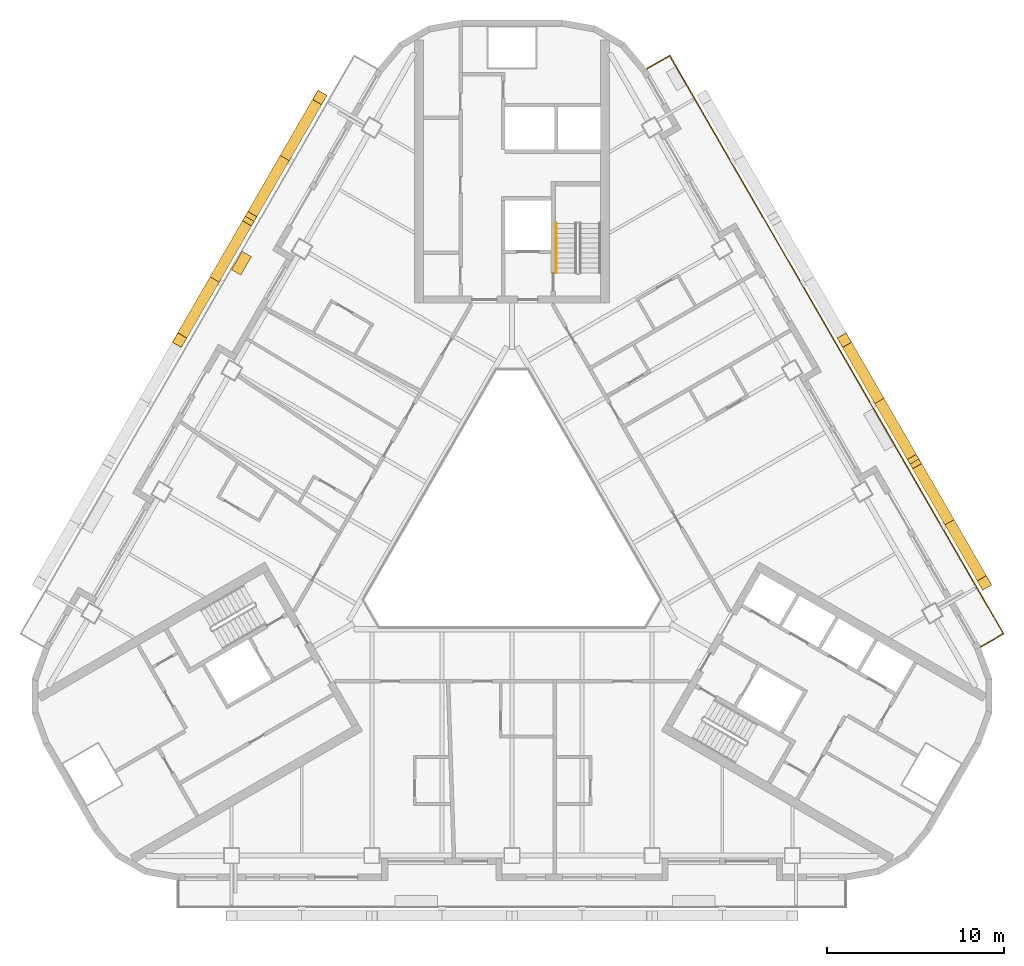
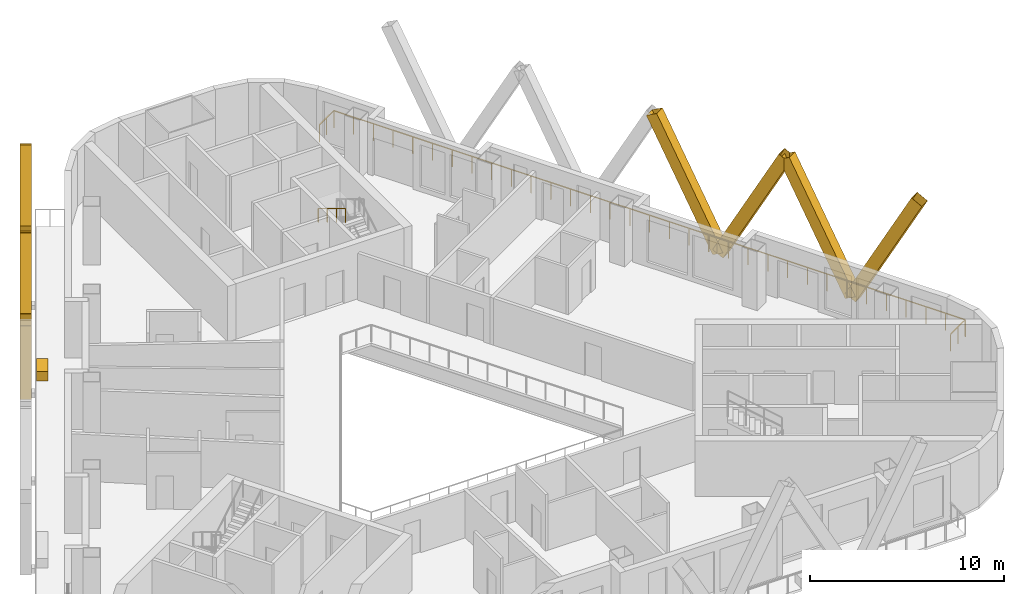
# One storey, part 13 of 14: 8 shading devices, 2 railings, 1 covering.
"""IFC4 building model written with IfcOpenShell, lengths in metres."""

from ifc_helpers import new_model, si_unit, direction, frame, origin, origin_2d, place, context, subcontext, project, spatial, rectangle, hollow_rectangle, circle, extrude, material, material_profile, profile_set, type_object, element, save


model = new_model("IFC4")

# Units and contexts
model_context = context("Model", 3, precision=1e-05, world=origin(), true_north=direction((0.0, 1.0)))
body_context = subcontext(model_context, "Body", "Model", "MODEL_VIEW")
ifc_project = project(units=[si_unit("LENGTHUNIT", "METRE"), si_unit("AREAUNIT", "SQUARE_METRE"), si_unit("VOLUMEUNIT", "CUBIC_METRE"), si_unit("PLANEANGLEUNIT", "RADIAN"), si_unit("MASSUNIT", "GRAM", prefix="KILO")], contexts=[model_context])

# Site, building, storey
site_placement = place(None, origin())
site = spatial("IfcSite", under=ifc_project, at=site_placement, CompositionType="ELEMENT")
building_placement = place(site_placement, origin())
building = spatial("IfcBuilding", under=site, at=building_placement, Name="Apuvela Tower Hotel", CompositionType="ELEMENT")
storey_placement = place(building_placement, frame((0.0, 0.0, 98.300048828125)))
storey = spatial("IfcBuildingStorey", under=building, at=storey_placement, Name="L22", CompositionType="ELEMENT", Elevation=98.300048828125)

# Railing
ifc_material_1 = material(Name="Stainless steel 316 handrail", Category="steel")
railing_type_1 = type_object("IfcRailingType", Name="COR-HANDRAIL-900", PredefinedType="HANDRAIL", material=ifc_material_1)
railing_1_placement = place(storey_placement, frame((2.5, 17.39990234375, 2.01806640625)))
element("IfcRailing", 1, at=railing_1_placement, inside=storey, type_object=railing_type_1, Name="L22 ST1 stair handrail 2", PredefinedType="HANDRAIL", context=body_context, shape_type="SweptSolid", body=[
    extrude(circle(Radius=0.02392578125, at=origin_2d()), frame((0.0, 0.0, 0.8759765625), z_axis=(0.0, -0.857222391501, 0.514946377315), x_axis=(1.0, 0.0, 0.0)), (0.0, 0.0, 1.0), 3.26611328125),
    extrude(rectangle(XDim=0.0419921875, YDim=0.0419921875, at=origin_2d()), origin(), (0.0, 0.0, 1.0), 0.851806640625),
    extrude(rectangle(XDim=0.0419921875, YDim=0.0419921875, at=origin_2d()), frame((0.0, -0.933349609375, 0.560546875)), (0.0, 0.0, 1.0), 0.851806640625),
    extrude(rectangle(XDim=0.0419921875, YDim=0.0419921875, at=origin_2d()), frame((0.0, -1.866455078125, 1.121337890625)), (0.0, 0.0, 1.0), 0.851806640625),
    extrude(rectangle(XDim=0.0419921875, YDim=0.0419921875, at=origin_2d()), frame((0.0, -2.7998046875, 1.681884765625)), (0.0, 0.0, 1.0), 0.851806640625),
])

# Shading devices
ifc_material_2 = material(Name="Aluminium 6063-T6, black anodised", Category="aluminium")
ifc_material_profile = material_profile(ifc_material_2, hollow_rectangle(XDim=0.60009765625, YDim=0.699951171875, WallThickness=0.011962890625, at=origin_2d()), Name="AL BOX 700x600x12")
ifc_profile_set = profile_set([ifc_material_profile], Name="Aluminium 6063-T6, black anodised")
shading_device_type = type_object("IfcShadingDeviceType", Name="ENV-FIN-700x600", PredefinedType="USERDEFINED", material=ifc_profile_set)
for number, where, z_axis, x_axis, name in (
    (2, (24.656982421875, 0.552490234375, -0.10009765625), (0.235457834389, -0.407787356937, 0.88219560175), (0.866005453737, 0.500034552904, 0.0), "Lattice fin NE201"),
    (3, (24.656982421875, 0.552490234375, -0.10009765625), (-0.235427548578, 0.407814415956, 0.882191176281), (-0.866047669374, -0.499961432884, 0.0), "Lattice fin NE202"),
    (4, (20.70703125, 7.394287109375, -0.10009765625), (0.235455039791, -0.407811621453, 0.882185131163), (0.866020906874, 0.500007788796, 0.0), "Lattice fin NE203"),
):
    element("IfcShadingDevice", number, at=place(storey_placement, frame(where, z_axis=z_axis, x_axis=x_axis)), inside=storey, type_object=shading_device_type, Name=name, ObjectType="FIN", PredefinedType="USERDEFINED", context=body_context, shape_type="SweptSolid", body=[
        extrude(hollow_rectangle(XDim=0.60009765625, YDim=0.699951171875, WallThickness=0.011962890625, at=origin_2d()), origin(), (0.0, 0.0, 1.0), 8.388427734375),
    ])
shading_device_placement = place(storey_placement, frame((20.70703125, 7.394287109375, -0.10009765625), z_axis=(-0.235430342887, 0.407790151341, 0.882201647084), x_axis=(-0.866032218625, -0.499988196164, 0.0)))
element("IfcShadingDevice", 5, at=shading_device_placement, inside=storey, type_object=shading_device_type, Name="Lattice fin NE204", ObjectType="FIN", PredefinedType="USERDEFINED", context=body_context, shape_type="SweptSolid", body=[
    extrude(hollow_rectangle(XDim=0.60009765625, YDim=0.699951171875, WallThickness=0.011962890625, at=origin_2d()), origin(), (0.0, 0.0, 1.0), 8.38818359375),
])
for number, where, z_axis, x_axis, name in (
    (6, (-12.80712890625, 21.077392578125, -0.10009765625), (0.235455039791, 0.407811621453, 0.882185131163), (-0.866020906874, 0.500007788796, 0.0), "Lattice fin NW249"),
    (7, (-12.80712890625, 21.077392578125, -0.10009765625), (-0.235427548578, -0.407814415956, 0.882191176281), (0.866047669374, -0.499961432884, 0.0), "Lattice fin NW250"),
    (8, (-16.757080078125, 14.23583984375, -0.10009765625), (0.235457834389, 0.407787356937, 0.88219560175), (-0.866005453737, 0.500034552904, 0.0), "Lattice fin NW251"),
    (9, (-16.757080078125, 14.23583984375, -0.10009765625), (-0.235455039791, -0.407811621453, 0.882185131163), (0.866020906874, -0.500007788796, 0.0), "Lattice fin NW252"),
):
    element("IfcShadingDevice", number, at=place(storey_placement, frame(where, z_axis=z_axis, x_axis=x_axis)), inside=storey, type_object=shading_device_type, Name=name, ObjectType="FIN", PredefinedType="USERDEFINED", context=body_context, shape_type="SweptSolid", body=[
        extrude(hollow_rectangle(XDim=0.60009765625, YDim=0.699951171875, WallThickness=0.011962890625, at=origin_2d()), origin(), (0.0, 0.0, 1.0), 8.388427734375),
    ])

# Railing
ifc_material_3 = material(Name="Stainless steel 316 rail with laminated glass infill", Category="steel")
railing_type_2 = type_object("IfcRailingType", Name="ENV-GUARD-1100", PredefinedType="GUARDRAIL", material=ifc_material_3)
railing_2_placement = place(storey_placement, frame((26.407958984375, -6.47998046875, 0.0)))
element("IfcRailing", 10, at=railing_2_placement, inside=storey, type_object=railing_type_2, Name="Balcony guard NE L22", PredefinedType="GUARDRAIL", context=body_context, shape_type="SweptSolid", body=[
    extrude(rectangle(XDim=0.050048828125, YDim=0.050048828125, at=origin_2d()), frame((0.0, 0.0, 1.0751953125), z_axis=(0.866031096941, 0.499990139034, 0.0), x_axis=(-0.499990139034, 0.866031096941, 0.0)), (0.0, 0.0, 1.0), 1.5),
    extrude(rectangle(XDim=0.050048828125, YDim=0.050048828125, at=origin_2d()), frame((1.299072265625, 0.75, 1.0751953125), z_axis=(-0.500000437506, 0.86602515119, 0.0), x_axis=(-0.86602515119, -0.500000437506, 0.0)), (0.0, 0.0, 1.0), 37.6318359375),
    extrude(rectangle(XDim=0.050048828125, YDim=0.050048828125, at=origin_2d()), frame((-17.516845703125, 33.340087890625, 1.0751953125), z_axis=(-0.86599040064, -0.500060622324, 0.0), x_axis=(0.500060622324, -0.86599040064, 0.0)), (0.0, 0.0, 1.0), 1.499755859375),
    extrude(rectangle(XDim=0.0400390625, YDim=0.0400390625, at=origin_2d()), origin(), (0.0, 0.0, 1.0), 1.050048828125),
    extrude(rectangle(XDim=0.0400390625, YDim=0.0400390625, at=origin_2d()), frame((0.6494140625, 0.375, 0.0)), (0.0, 0.0, 1.0), 1.050048828125),
    extrude(rectangle(XDim=0.0400390625, YDim=0.0400390625, at=origin_2d()), frame((1.299072265625, 0.75, 0.0)), (0.0, 0.0, 1.0), 1.050048828125),
    extrude(rectangle(XDim=0.0400390625, YDim=0.0400390625, at=origin_2d()), frame((0.711181640625, 1.7685546875, 0.0)), (0.0, 0.0, 1.0), 1.050048828125),
    extrude(rectangle(XDim=0.0400390625, YDim=0.0400390625, at=origin_2d()), frame((0.123046875, 2.786865234375, 0.0)), (0.0, 0.0, 1.0), 1.050048828125),
    extrude(rectangle(XDim=0.0400390625, YDim=0.0400390625, at=origin_2d()), frame((-0.46484375, 3.805419921875, 0.0)), (0.0, 0.0, 1.0), 1.050048828125),
    extrude(rectangle(XDim=0.0400390625, YDim=0.0400390625, at=origin_2d()), frame((-1.052978515625, 4.82373046875, 0.0)), (0.0, 0.0, 1.0), 1.050048828125),
    extrude(rectangle(XDim=0.0400390625, YDim=0.0400390625, at=origin_2d()), frame((-1.640869140625, 5.84228515625, 0.0)), (0.0, 0.0, 1.0), 1.050048828125),
    extrude(rectangle(XDim=0.0400390625, YDim=0.0400390625, at=origin_2d()), frame((-2.22900390625, 6.860595703125, 0.0)), (0.0, 0.0, 1.0), 1.050048828125),
    extrude(rectangle(XDim=0.0400390625, YDim=0.0400390625, at=origin_2d()), frame((-2.81689453125, 7.879150390625, 0.0)), (0.0, 0.0, 1.0), 1.050048828125),
    extrude(rectangle(XDim=0.0400390625, YDim=0.0400390625, at=origin_2d()), frame((-3.40478515625, 8.8974609375, 0.0)), (0.0, 0.0, 1.0), 1.050048828125),
    extrude(rectangle(XDim=0.0400390625, YDim=0.0400390625, at=origin_2d()), frame((-3.992919921875, 9.916015625, 0.0)), (0.0, 0.0, 1.0), 1.050048828125),
    extrude(rectangle(XDim=0.0400390625, YDim=0.0400390625, at=origin_2d()), frame((-4.580810546875, 10.934326171875, 0.0)), (0.0, 0.0, 1.0), 1.050048828125),
    extrude(rectangle(XDim=0.0400390625, YDim=0.0400390625, at=origin_2d()), frame((-5.1689453125, 11.952880859375, 0.0)), (0.0, 0.0, 1.0), 1.050048828125),
    extrude(rectangle(XDim=0.0400390625, YDim=0.0400390625, at=origin_2d()), frame((-5.7568359375, 12.97119140625, 0.0)), (0.0, 0.0, 1.0), 1.050048828125),
    extrude(rectangle(XDim=0.0400390625, YDim=0.0400390625, at=origin_2d()), frame((-6.344970703125, 13.98974609375, 0.0)), (0.0, 0.0, 1.0), 1.050048828125),
    extrude(rectangle(XDim=0.0400390625, YDim=0.0400390625, at=origin_2d()), frame((-6.932861328125, 15.008056640625, 0.0)), (0.0, 0.0, 1.0), 1.050048828125),
    extrude(rectangle(XDim=0.0400390625, YDim=0.0400390625, at=origin_2d()), frame((-7.52099609375, 16.026611328125, 0.0)), (0.0, 0.0, 1.0), 1.050048828125),
    extrude(rectangle(XDim=0.0400390625, YDim=0.0400390625, at=origin_2d()), frame((-8.10888671875, 17.044921875, 0.0)), (0.0, 0.0, 1.0), 1.050048828125),
    extrude(rectangle(XDim=0.0400390625, YDim=0.0400390625, at=origin_2d()), frame((-8.69677734375, 18.0634765625, 0.0)), (0.0, 0.0, 1.0), 1.050048828125),
    extrude(rectangle(XDim=0.0400390625, YDim=0.0400390625, at=origin_2d()), frame((-9.284912109375, 19.08203125, 0.0)), (0.0, 0.0, 1.0), 1.050048828125),
    extrude(rectangle(XDim=0.0400390625, YDim=0.0400390625, at=origin_2d()), frame((-9.872802734375, 20.100341796875, 0.0)), (0.0, 0.0, 1.0), 1.050048828125),
    extrude(rectangle(XDim=0.0400390625, YDim=0.0400390625, at=origin_2d()), frame((-10.4609375, 21.118896484375, 0.0)), (0.0, 0.0, 1.0), 1.050048828125),
    extrude(rectangle(XDim=0.0400390625, YDim=0.0400390625, at=origin_2d()), frame((-11.048828125, 22.13720703125, 0.0)), (0.0, 0.0, 1.0), 1.050048828125),
    extrude(rectangle(XDim=0.0400390625, YDim=0.0400390625, at=origin_2d()), frame((-11.636962890625, 23.15576171875, 0.0)), (0.0, 0.0, 1.0), 1.050048828125),
    extrude(rectangle(XDim=0.0400390625, YDim=0.0400390625, at=origin_2d()), frame((-12.224853515625, 24.174072265625, 0.0)), (0.0, 0.0, 1.0), 1.050048828125),
    extrude(rectangle(XDim=0.0400390625, YDim=0.0400390625, at=origin_2d()), frame((-12.81298828125, 25.192626953125, 0.0)), (0.0, 0.0, 1.0), 1.050048828125),
    extrude(rectangle(XDim=0.0400390625, YDim=0.0400390625, at=origin_2d()), frame((-13.40087890625, 26.2109375, 0.0)), (0.0, 0.0, 1.0), 1.050048828125),
    extrude(rectangle(XDim=0.0400390625, YDim=0.0400390625, at=origin_2d()), frame((-13.98876953125, 27.2294921875, 0.0)), (0.0, 0.0, 1.0), 1.050048828125),
    extrude(rectangle(XDim=0.0400390625, YDim=0.0400390625, at=origin_2d()), frame((-14.576904296875, 28.247802734375, 0.0)), (0.0, 0.0, 1.0), 1.050048828125),
    extrude(rectangle(XDim=0.0400390625, YDim=0.0400390625, at=origin_2d()), frame((-15.164794921875, 29.266357421875, 0.0)), (0.0, 0.0, 1.0), 1.050048828125),
    extrude(rectangle(XDim=0.0400390625, YDim=0.0400390625, at=origin_2d()), frame((-15.7529296875, 30.28466796875, 0.0)), (0.0, 0.0, 1.0), 1.050048828125),
    extrude(rectangle(XDim=0.0400390625, YDim=0.0400390625, at=origin_2d()), frame((-16.3408203125, 31.30322265625, 0.0)), (0.0, 0.0, 1.0), 1.050048828125),
    extrude(rectangle(XDim=0.0400390625, YDim=0.0400390625, at=origin_2d()), frame((-16.928955078125, 32.321533203125, 0.0)), (0.0, 0.0, 1.0), 1.050048828125),
    extrude(rectangle(XDim=0.0400390625, YDim=0.0400390625, at=origin_2d()), frame((-17.516845703125, 33.340087890625, 0.0)), (0.0, 0.0, 1.0), 1.050048828125),
    extrude(rectangle(XDim=0.0400390625, YDim=0.0400390625, at=origin_2d()), frame((-18.166259765625, 32.965087890625, 0.0)), (0.0, 0.0, 1.0), 1.050048828125),
    extrude(rectangle(XDim=0.0400390625, YDim=0.0400390625, at=origin_2d()), frame((-18.815673828125, 32.590087890625, 0.0)), (0.0, 0.0, 1.0), 1.050048828125),
])

# Covering
ifc_material_4 = material(Name="Planting substrate and soil, planted")
covering_type = type_object("IfcCoveringType", Name="ENV-PLANTER-1200x600", PredefinedType="USERDEFINED", material=ifc_material_4)
covering_placement = place(storey_placement, frame((-15.24609375, 15.1533203125, 0.0), z_axis=(0.0, 0.0, 1.0), x_axis=(-0.5, -0.866025403784, 0.0)))
element("IfcCovering", 11, at=covering_placement, inside=storey, type_object=covering_type, Name="Planter NW5", ObjectType="PLANTER", PredefinedType="USERDEFINED", context=body_context, shape_type="SweptSolid", body=[
    extrude(rectangle(XDim=1.199951171875, YDim=0.60009765625, at=origin_2d()), origin(), (0.0, 0.0, 1.0), 0.60009765625),
])

save(model, "model.ifc")
